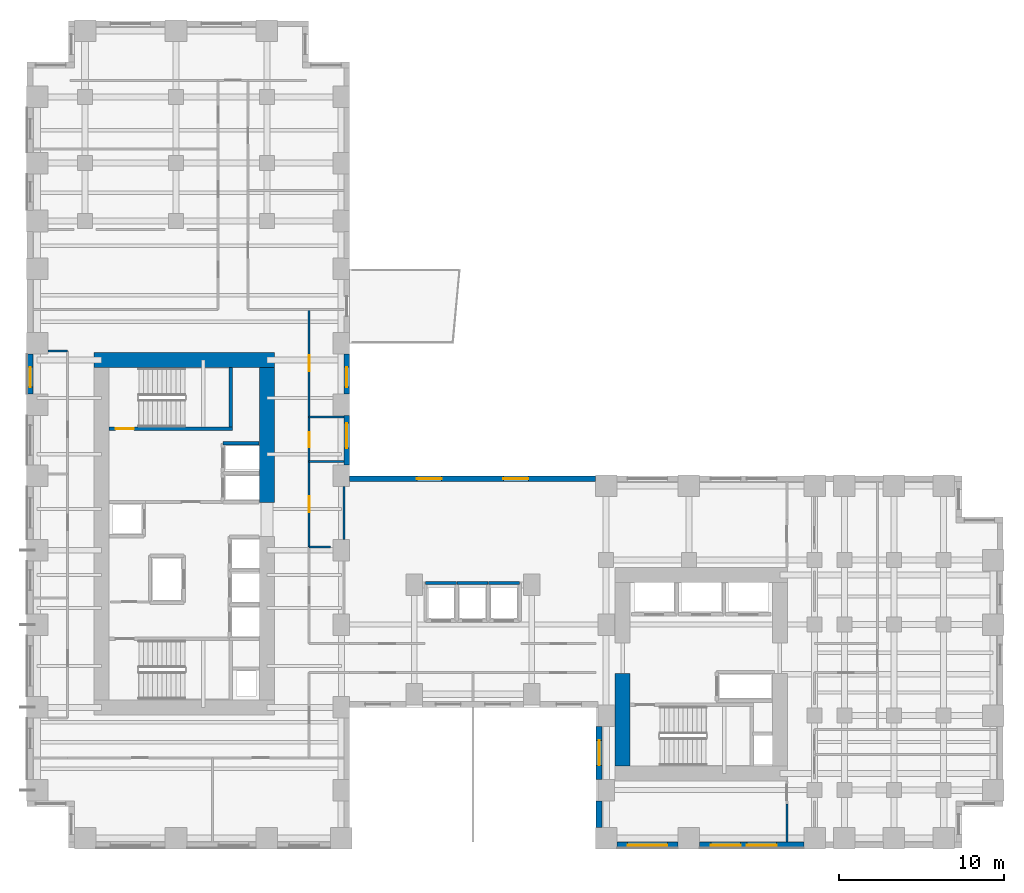
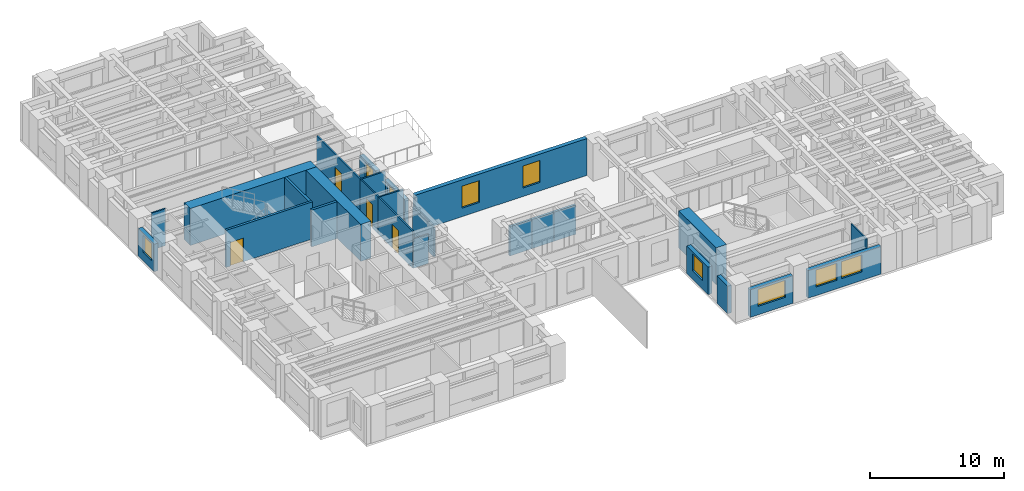
# One storey, part 6 of 12: 26 walls, 9 windows, 4 doors, 13 openings.
"""IFC4 building model written with IfcOpenShell, lengths in metres."""

from ifc_helpers import new_model, si_unit, direction, frame, frame_2d, origin, place, context, subcontext, project, spatial, rectangle, extrude, source, transform, mapped, material, layer, layer_set, type_object, element, fill, save


model = new_model("IFC4")

# Units and contexts
model_context = context("Model", 3, precision=1e-05, world=origin(), true_north=direction((0.0, 1.0)))
body_context = subcontext(model_context, "Body", "Model", "MODEL_VIEW")
ifc_project = project(units=[si_unit("LENGTHUNIT", "METRE"), si_unit("AREAUNIT", "SQUARE_METRE"), si_unit("VOLUMEUNIT", "CUBIC_METRE"), si_unit("PLANEANGLEUNIT", "RADIAN"), si_unit("MASSUNIT", "GRAM", prefix="KILO")], contexts=[model_context])

# Site, building, storey
site_placement = place(None, origin())
site = spatial("IfcSite", under=ifc_project, at=site_placement, CompositionType="ELEMENT")
building_placement = place(site_placement, origin())
building = spatial("IfcBuilding", under=site, at=building_placement, Name="Kharzan Plaza Tower", CompositionType="ELEMENT")
storey_placement = place(building_placement, frame((0.0, 0.0, 26.10009765625)))
storey = spatial("IfcBuildingStorey", under=building, at=storey_placement, Name="L06", CompositionType="ELEMENT", Elevation=26.10009765625)

# Wall, opening, window
ifc_material_1 = material(Name="Concrete C40/50", Category="concrete")
ifc_layer_1 = layer(ifc_material_1, 0.35009765625)
ifc_layer_set_1 = layer_set([ifc_layer_1], Name="Concrete C40/50")
wall_type_1 = type_object("IfcWallType", Name="WL-EXT-MAS-Z1", PredefinedType="SOLIDWALL", material=ifc_layer_set_1)
wall_1_placement = place(storey_placement, frame((0.175048828125, 29.85205078125, 0.0), z_axis=(0.0, 0.0, 1.0), x_axis=(0.0, -1.0, 0.0)))
wall_1 = element("IfcWall", 1, at=wall_1_placement, inside=storey, type_object=wall_type_1, Name="L06 Masonry-Frame Exterior Wall 14", PredefinedType="SOLIDWALL", context=body_context, shape_type="SweptSolid", body=[
    extrude(rectangle(XDim=2.404052734375, YDim=0.35009765625, at=frame_2d((1.2021484375, 0.0))), origin(), (0.0, 0.0, 1.0), 2.510009765625),
])
opening_1_placement = place(wall_1_placement, frame((0.786865234375, 0.0, 0.780029296875)))
opening_1 = element("IfcOpeningElement", 2, at=opening_1_placement, cuts=wall_1, Name="Opening W3", PredefinedType="OPENING", context=body_context, shape_type="SweptSolid", body=[
    extrude(rectangle(XDim=1.199951171875, YDim=1.550048828125, at=frame_2d((0.60009765625, 0.77490234375))), frame((0.0, 0.18505859375, 0.0), z_axis=(0.0, -1.0, 0.0), x_axis=(1.0, 0.0, 0.0)), (0.0, 0.0, 1.0), 0.3701171875),
])
ifc_material_2 = material(Name="Low-E Double Glazing", Category="glass")
window_type_1 = type_object("IfcWindowType", Name="WN-REC-1200x2100", PartitioningType="SINGLE_PANEL", PredefinedType="WINDOW", material=ifc_material_2)
shared_shape_1 = source(origin(), body_context, "Body", "SweptSolid", [
    extrude(rectangle(XDim=1.199951171875, YDim=1.550048828125, at=frame_2d((0.60009765625, 0.77490234375))), frame((0.0, 0.030029296875, 0.0), z_axis=(0.0, -1.0, 0.0), x_axis=(1.0, 0.0, 0.0)), (0.0, 0.0, 1.0), 0.06005859375),
])
window_1_placement = place(opening_1_placement, origin())
window_1 = element("IfcWindow", 3, at=window_1_placement, inside=storey, type_object=window_type_1, Name="L06 Recessed Solar-Control Window 14-1", OverallHeight=1.550048828125, OverallWidth=1.199951171875, PartitioningType="SINGLE_PANEL", PredefinedType="WINDOW", context=body_context, shape_type="MappedRepresentation", body=[
    mapped(shared_shape_1, transform((0.0, 0.0, 0.0), x_axis=(1.0, 0.0, 0.0), y_axis=(0.0, 1.0, 0.0), z_axis=(0.0, 0.0, 1.0))),
])
fill(opening_1, window_1)

wall_2_placement = place(storey_placement, frame((34.574951171875, 7.35205078125, 0.0), z_axis=(0.0, 0.0, 1.0), x_axis=(0.0, -1.0, 0.0)))
wall_2 = element("IfcWall", 4, at=wall_2_placement, inside=storey, type_object=wall_type_1, Name="L06 Masonry-Frame Exterior Wall 31", PredefinedType="SOLIDWALL", context=body_context, shape_type="SweptSolid", body=[
    extrude(rectangle(XDim=3.2041015625, YDim=0.35009765625, at=frame_2d((1.60205078125, 0.0))), origin(), (0.0, 0.0, 1.0), 2.510009765625),
])
opening_2_placement = place(wall_2_placement, frame((0.85205078125, 0.0, 0.780029296875)))
opening_2 = element("IfcOpeningElement", 5, at=opening_2_placement, cuts=wall_2, Name="Opening W5", PredefinedType="OPENING", context=body_context, shape_type="SweptSolid", body=[
    extrude(rectangle(XDim=1.5, YDim=1.550048828125, at=frame_2d((0.75, 0.77490234375))), frame((0.0, 0.18505859375, 0.0), z_axis=(0.0, -1.0, 0.0), x_axis=(1.0, 0.0, 0.0)), (0.0, 0.0, 1.0), 0.3701171875),
])
window_type_2 = type_object("IfcWindowType", Name="WN-SLT-1500x2000", PartitioningType="SINGLE_PANEL", PredefinedType="WINDOW", material=ifc_material_2)
shared_shape_2 = source(origin(), body_context, "Body", "SweptSolid", [
    extrude(rectangle(XDim=1.5, YDim=1.550048828125, at=frame_2d((0.75, 0.77490234375))), frame((0.0, 0.030029296875, 0.0), z_axis=(0.0, -1.0, 0.0), x_axis=(1.0, 0.0, 0.0)), (0.0, 0.0, 1.0), 0.06005859375),
])
window_2_placement = place(opening_2_placement, origin())
window_2 = element("IfcWindow", 6, at=window_2_placement, inside=storey, type_object=window_type_2, Name="L06 Recessed Solar-Control Window 31-1", OverallHeight=1.550048828125, OverallWidth=1.5, PartitioningType="SINGLE_PANEL", PredefinedType="WINDOW", context=body_context, shape_type="MappedRepresentation", body=[
    mapped(shared_shape_2, transform((0.0, 0.0, 0.0), x_axis=(1.0, 0.0, 0.0), y_axis=(0.0, 1.0, 0.0), z_axis=(0.0, 0.0, 1.0))),
])
fill(opening_2, window_2)

wall_3_placement = place(storey_placement, frame((35.64794921875, 0.175048828125, 0.0), z_axis=(0.0, 0.0, 1.0), x_axis=(1.0, 0.0, 0.0)))
wall_3 = element("IfcWall", 7, at=wall_3_placement, inside=storey, type_object=wall_type_1, Name="L06 Masonry-Frame Exterior Wall 33", PredefinedType="SOLIDWALL", context=body_context, shape_type="SweptSolid", body=[
    extrude(rectangle(XDim=3.7041015625, YDim=0.35009765625, at=frame_2d((1.85205078125, 0.0))), origin(), (0.0, 0.0, 1.0), 2.510009765625),
])
opening_3_placement = place(wall_3_placement, frame((0.652099609375, 0.0, 0.780029296875)))
opening_3 = element("IfcOpeningElement", 8, at=opening_3_placement, cuts=wall_3, Name="Opening W2", PredefinedType="OPENING", context=body_context, shape_type="SweptSolid", body=[
    extrude(rectangle(XDim=2.39990234375, YDim=1.550048828125, at=frame_2d((1.199951171875, 0.77490234375))), frame((0.0, 0.18505859375, 0.0), z_axis=(0.0, -1.0, 0.0), x_axis=(1.0, 0.0, 0.0)), (0.0, 0.0, 1.0), 0.3701171875),
])
window_type_3 = type_object("IfcWindowType", Name="WN-REC-2400x2100", PartitioningType="SINGLE_PANEL", PredefinedType="WINDOW", material=ifc_material_2)
shared_shape_3 = source(origin(), body_context, "Body", "SweptSolid", [
    extrude(rectangle(XDim=2.39990234375, YDim=1.550048828125, at=frame_2d((1.199951171875, 0.77490234375))), frame((0.0, 0.030029296875, 0.0), z_axis=(0.0, -1.0, 0.0), x_axis=(1.0, 0.0, 0.0)), (0.0, 0.0, 1.0), 0.06005859375),
])
window_3_placement = place(opening_3_placement, origin())
window_3 = element("IfcWindow", 9, at=window_3_placement, inside=storey, type_object=window_type_3, Name="L06 Wide Recessed Solar-Control Window 33-1", OverallHeight=1.550048828125, OverallWidth=2.39990234375, PartitioningType="SINGLE_PANEL", PredefinedType="WINDOW", context=body_context, shape_type="MappedRepresentation", body=[
    mapped(shared_shape_3, transform((0.0, 0.0, 0.0), x_axis=(1.0, 0.0, 0.0), y_axis=(0.0, 1.0, 0.0), z_axis=(0.0, 0.0, 1.0))),
])
fill(opening_3, window_3)

# Wall, openings, windows
wall_4_placement = place(storey_placement, frame((40.64794921875, 0.175048828125, 0.0), z_axis=(0.0, 0.0, 1.0), x_axis=(1.0, 0.0, 0.0)))
wall_4 = element("IfcWall", 10, at=wall_4_placement, inside=storey, type_object=wall_type_1, Name="L06 Masonry-Frame Exterior Wall 34", PredefinedType="SOLIDWALL", context=body_context, shape_type="SweptSolid", body=[
    extrude(rectangle(XDim=6.303955078125, YDim=0.35009765625, at=frame_2d((3.15185546875, 0.0))), origin(), (0.0, 0.0, 1.0), 2.510009765625),
])
opening_4_placement = place(wall_4_placement, frame((0.687255859375, 0.0, 0.780029296875)))
opening_4 = element("IfcOpeningElement", 11, at=opening_4_placement, cuts=wall_4, Name="Opening W1", PredefinedType="OPENING", context=body_context, shape_type="SweptSolid", body=[
    extrude(rectangle(XDim=1.800048828125, YDim=1.550048828125, at=frame_2d((0.89990234375, 0.77490234375))), frame((0.0, 0.18505859375, 0.0), z_axis=(0.0, -1.0, 0.0), x_axis=(1.0, 0.0, 0.0)), (0.0, 0.0, 1.0), 0.3701171875),
])
opening_5_placement = place(wall_4_placement, frame((2.854736328125, 0.0, 0.780029296875)))
opening_5 = element("IfcOpeningElement", 12, at=opening_5_placement, cuts=wall_4, Name="Opening W1", PredefinedType="OPENING", context=body_context, shape_type="SweptSolid", body=[
    extrude(rectangle(XDim=1.800048828125, YDim=1.550048828125, at=frame_2d((0.89990234375, 0.77490234375))), frame((0.0, 0.18505859375, 0.0), z_axis=(0.0, -1.0, 0.0), x_axis=(1.0, 0.0, 0.0)), (0.0, 0.0, 1.0), 0.3701171875),
])
window_type_4 = type_object("IfcWindowType", Name="WN-REC-1800x2100", PartitioningType="SINGLE_PANEL", PredefinedType="WINDOW", material=ifc_material_2)
shared_shape_4 = source(origin(), body_context, "Body", "SweptSolid", [
    extrude(rectangle(XDim=1.800048828125, YDim=1.550048828125, at=frame_2d((0.89990234375, 0.77490234375))), frame((0.0, 0.030029296875, 0.0), z_axis=(0.0, -1.0, 0.0), x_axis=(1.0, 0.0, 0.0)), (0.0, 0.0, 1.0), 0.06005859375),
])
window_4_placement = place(opening_4_placement, origin())
window_4 = element("IfcWindow", 13, at=window_4_placement, inside=storey, type_object=window_type_4, Name="L06 Recessed Solar-Control Window 34-1", OverallHeight=1.550048828125, OverallWidth=1.800048828125, PartitioningType="SINGLE_PANEL", PredefinedType="WINDOW", context=body_context, shape_type="MappedRepresentation", body=[
    mapped(shared_shape_4, transform((0.0, 0.0, 0.0), x_axis=(1.0, 0.0, 0.0), y_axis=(0.0, 1.0, 0.0), z_axis=(0.0, 0.0, 1.0))),
])
fill(opening_4, window_4)
window_5_placement = place(opening_5_placement, origin())
window_5 = element("IfcWindow", 14, at=window_5_placement, inside=storey, type_object=window_type_4, Name="L06 Recessed Solar-Control Window 34-2", OverallHeight=1.550048828125, OverallWidth=1.800048828125, PartitioningType="SINGLE_PANEL", PredefinedType="WINDOW", context=body_context, shape_type="MappedRepresentation", body=[
    mapped(shared_shape_4, transform((0.0, 0.0, 0.0), x_axis=(1.0, 0.0, 0.0), y_axis=(0.0, 1.0, 0.0), z_axis=(0.0, 0.0, 1.0))),
])
fill(opening_5, window_5)

wall_5_placement = place(storey_placement, frame((34.35205078125, 22.324951171875, 0.0), z_axis=(0.0, 0.0, 1.0), x_axis=(-1.0, 0.0, 0.0)))
wall_5 = element("IfcWall", 15, at=wall_5_placement, inside=storey, type_object=wall_type_1, Name="L06 Masonry-Frame Exterior Wall 53", PredefinedType="SOLIDWALL", context=body_context, shape_type="SweptSolid", body=[
    extrude(rectangle(XDim=14.85400390625, YDim=0.35009765625, at=frame_2d((7.427001953125, 0.0))), origin(), (0.0, 0.0, 1.0), 3.364990234375),
])
opening_6_placement = place(wall_5_placement, frame((4.05810546875, 0.0, 0.780029296875)))
opening_6 = element("IfcOpeningElement", 16, at=opening_6_placement, cuts=wall_5, Name="Opening W5", PredefinedType="OPENING", context=body_context, shape_type="SweptSolid", body=[
    extrude(rectangle(XDim=1.5, YDim=2.0, at=frame_2d((0.75, 1.0))), frame((0.0, 0.18505859375, 0.0), z_axis=(0.0, -1.0, 0.0), x_axis=(1.0, 0.0, 0.0)), (0.0, 0.0, 1.0), 0.3701171875),
])
opening_7_placement = place(wall_5_placement, frame((9.2958984375, 0.0, 0.780029296875)))
opening_7 = element("IfcOpeningElement", 17, at=opening_7_placement, cuts=wall_5, Name="Opening W5", PredefinedType="OPENING", context=body_context, shape_type="SweptSolid", body=[
    extrude(rectangle(XDim=1.5, YDim=2.0, at=frame_2d((0.75, 1.0))), frame((0.0, 0.18505859375, 0.0), z_axis=(0.0, -1.0, 0.0), x_axis=(1.0, 0.0, 0.0)), (0.0, 0.0, 1.0), 0.3701171875),
])
shared_shape_5 = source(origin(), body_context, "Body", "SweptSolid", [
    extrude(rectangle(XDim=1.5, YDim=2.0, at=frame_2d((0.75, 1.0))), frame((0.0, 0.030029296875, 0.0), z_axis=(0.0, -1.0, 0.0), x_axis=(1.0, 0.0, 0.0)), (0.0, 0.0, 1.0), 0.06005859375),
])
window_6_placement = place(opening_6_placement, origin())
window_6 = element("IfcWindow", 18, at=window_6_placement, inside=storey, type_object=window_type_2, Name="L06 Recessed Solar-Control Window 53-1", OverallHeight=2.0, OverallWidth=1.5, PartitioningType="SINGLE_PANEL", PredefinedType="WINDOW", context=body_context, shape_type="MappedRepresentation", body=[
    mapped(shared_shape_5, transform((0.0, 0.0, 0.0), x_axis=(1.0, 0.0, 0.0), y_axis=(0.0, 1.0, 0.0), z_axis=(0.0, 0.0, 1.0))),
])
fill(opening_6, window_6)
window_7_placement = place(opening_7_placement, origin())
window_7 = element("IfcWindow", 19, at=window_7_placement, inside=storey, type_object=window_type_2, Name="L06 Recessed Solar-Control Window 53-2", OverallHeight=2.0, OverallWidth=1.5, PartitioningType="SINGLE_PANEL", PredefinedType="WINDOW", context=body_context, shape_type="MappedRepresentation", body=[
    mapped(shared_shape_5, transform((0.0, 0.0, 0.0), x_axis=(1.0, 0.0, 0.0), y_axis=(0.0, 1.0, 0.0), z_axis=(0.0, 0.0, 1.0))),
])
fill(opening_7, window_7)

# Wall, opening, window
wall_6_placement = place(storey_placement, frame((19.324951171875, 23.14794921875, 0.0), z_axis=(0.0, 0.0, 1.0), x_axis=(0.0, 1.0, 0.0)))
wall_6 = element("IfcWall", 20, at=wall_6_placement, inside=storey, type_object=wall_type_1, Name="L06 Masonry-Frame Exterior Wall 54", PredefinedType="SOLIDWALL", context=body_context, shape_type="SweptSolid", body=[
    extrude(rectangle(XDim=3.004150390625, YDim=0.35009765625, at=frame_2d((1.501953125, 0.0))), origin(), (0.0, 0.0, 1.0), 2.510009765625),
])
opening_8_placement = place(wall_6_placement, frame((1.030517578125, 0.0, 0.780029296875)))
opening_8 = element("IfcOpeningElement", 21, at=opening_8_placement, cuts=wall_6, Name="Opening W5", PredefinedType="OPENING", context=body_context, shape_type="SweptSolid", body=[
    extrude(rectangle(XDim=1.5, YDim=1.550048828125, at=frame_2d((0.75, 0.77490234375))), frame((0.0, 0.18505859375, 0.0), z_axis=(0.0, -1.0, 0.0), x_axis=(1.0, 0.0, 0.0)), (0.0, 0.0, 1.0), 0.3701171875),
])
window_8_placement = place(opening_8_placement, origin())
window_8 = element("IfcWindow", 22, at=window_8_placement, inside=storey, type_object=window_type_2, Name="L06 Recessed Solar-Control Window 54-1", OverallHeight=1.550048828125, OverallWidth=1.5, PartitioningType="SINGLE_PANEL", PredefinedType="WINDOW", context=body_context, shape_type="MappedRepresentation", body=[
    mapped(shared_shape_2, transform((0.0, 0.0, 0.0), x_axis=(1.0, 0.0, 0.0), y_axis=(0.0, 1.0, 0.0), z_axis=(0.0, 0.0, 1.0))),
])
fill(opening_8, window_8)

wall_7_placement = place(storey_placement, frame((19.324951171875, 27.447998046875, 0.0), z_axis=(0.0, 0.0, 1.0), x_axis=(0.0, 1.0, 0.0)))
wall_7 = element("IfcWall", 23, at=wall_7_placement, inside=storey, type_object=wall_type_1, Name="L06 Masonry-Frame Exterior Wall 55", PredefinedType="SOLIDWALL", context=body_context, shape_type="SweptSolid", body=[
    extrude(rectangle(XDim=2.404052734375, YDim=0.35009765625, at=frame_2d((1.2021484375, 0.0))), origin(), (0.0, 0.0, 1.0), 2.510009765625),
])
opening_9_placement = place(wall_7_placement, frame((0.417236328125, 0.0, 0.780029296875)))
opening_9 = element("IfcOpeningElement", 24, at=opening_9_placement, cuts=wall_7, Name="Opening W3", PredefinedType="OPENING", context=body_context, shape_type="SweptSolid", body=[
    extrude(rectangle(XDim=1.199951171875, YDim=1.550048828125, at=frame_2d((0.60009765625, 0.77490234375))), frame((0.0, 0.18505859375, 0.0), z_axis=(0.0, -1.0, 0.0), x_axis=(1.0, 0.0, 0.0)), (0.0, 0.0, 1.0), 0.3701171875),
])
window_9_placement = place(opening_9_placement, origin())
window_9 = element("IfcWindow", 25, at=window_9_placement, inside=storey, type_object=window_type_1, Name="L06 Recessed Solar-Control Window 55-1", OverallHeight=1.550048828125, OverallWidth=1.199951171875, PartitioningType="SINGLE_PANEL", PredefinedType="WINDOW", context=body_context, shape_type="MappedRepresentation", body=[
    mapped(shared_shape_1, transform((0.0, 0.0, 0.0), x_axis=(1.0, 0.0, 0.0), y_axis=(0.0, 1.0, 0.0), z_axis=(0.0, 0.0, 1.0))),
])
fill(opening_9, window_9)

# Wall, opening, door
ifc_material_3 = material(Name="Fire-Rated Gypsum Board Partition", Category="gypsum")
ifc_layer_2 = layer(ifc_material_3, 0.125)
ifc_layer_set_2 = layer_set([ifc_layer_2], Name="Fire-Rated Gypsum Board Partition")
wall_type_2 = type_object("IfcWallType", Name="WL-INT-PART-125", PredefinedType="PARTITIONING", material=ifc_layer_set_2)
wall_8_placement = place(storey_placement, frame((17.050048828125, 18.199951171875, 0.0), z_axis=(0.0, 0.0, 1.0), x_axis=(0.0, 1.0, 0.0)))
wall_8 = element("IfcWall", 26, at=wall_8_placement, inside=storey, type_object=wall_type_2, Name="L06 Interior Partition SH-AEWN2", PredefinedType="PARTITIONING", context=body_context, shape_type="SweptSolid", body=[
    extrude(rectangle(XDim=5.150146484375, YDim=0.125, at=frame_2d((2.5751953125, 0.0))), origin(), (0.0, 0.0, 1.0), 3.364990234375),
])
opening_10_placement = place(wall_8_placement, frame((2.10009765625, 0.0, 0.0)))
opening_10 = element("IfcOpeningElement", 27, at=opening_10_placement, cuts=wall_8, Name="Opening OD1", PredefinedType="OPENING", context=body_context, shape_type="SweptSolid", body=[
    extrude(rectangle(XDim=0.949951171875, YDim=2.14990234375, at=frame_2d((0.47509765625, 1.074951171875))), frame((0.0, 0.072509765625, 0.0), z_axis=(0.0, -1.0, 0.0), x_axis=(1.0, 0.0, 0.0)), (0.0, 0.0, 1.0), 0.14501953125),
])
ifc_material_4 = material(Name="Acoustic Solid-Core Stained Oak", Category="timber")
door_type_1 = type_object("IfcDoorType", Name="DR-OFF-SINGLE", OperationType="NOTDEFINED", PredefinedType="DOOR", material=ifc_material_4)
shared_shape_6 = source(origin(), body_context, "Body", "SweptSolid", [
    extrude(rectangle(XDim=0.949951171875, YDim=2.14990234375, at=frame_2d((0.47509765625, 1.074951171875))), frame((0.0, 0.02490234375, 0.0), z_axis=(0.0, -1.0, 0.0), x_axis=(1.0, 0.0, 0.0)), (0.0, 0.0, 1.0), 0.050048828125),
])
door_1_placement = place(opening_10_placement, origin())
door_1 = element("IfcDoor", 28, at=door_1_placement, inside=storey, type_object=door_type_1, Name="L06 Slot Studio Door", OperationType="SINGLE_SWING_LEFT", OverallHeight=2.14990234375, OverallWidth=0.949951171875, PredefinedType="DOOR", context=body_context, shape_type="MappedRepresentation", body=[
    mapped(shared_shape_6, transform((0.0, 0.0, 0.0), x_axis=(1.0, 0.0, 0.0), y_axis=(0.0, 1.0, 0.0), z_axis=(0.0, 0.0, 1.0))),
])
fill(opening_10, door_1)

wall_9_placement = place(storey_placement, frame((17.050048828125, 26.050048828125, 0.0), z_axis=(0.0, 0.0, 1.0), x_axis=(0.0, 1.0, 0.0)))
wall_9 = element("IfcWall", 29, at=wall_9_placement, inside=storey, type_object=wall_type_2, Name="L06 Interior Partition SH-AEWN3", PredefinedType="PARTITIONING", context=body_context, shape_type="SweptSolid", body=[
    extrude(rectangle(XDim=6.5, YDim=0.125, at=frame_2d((3.25, 0.0))), origin(), (0.0, 0.0, 1.0), 3.364990234375),
])
opening_11_placement = place(wall_9_placement, frame((2.77490234375, 0.0, 0.0)))
opening_11 = element("IfcOpeningElement", 30, at=opening_11_placement, cuts=wall_9, Name="Opening OD1", PredefinedType="OPENING", context=body_context, shape_type="SweptSolid", body=[
    extrude(rectangle(XDim=0.949951171875, YDim=2.14990234375, at=frame_2d((0.47509765625, 1.074951171875))), frame((0.0, 0.072509765625, 0.0), z_axis=(0.0, -1.0, 0.0), x_axis=(1.0, 0.0, 0.0)), (0.0, 0.0, 1.0), 0.14501953125),
])
door_2_placement = place(opening_11_placement, origin())
door_2 = element("IfcDoor", 31, at=door_2_placement, inside=storey, type_object=door_type_1, Name="L06 Staff Tea Point Door", OperationType="SINGLE_SWING_LEFT", OverallHeight=2.14990234375, OverallWidth=0.949951171875, PredefinedType="DOOR", context=body_context, shape_type="MappedRepresentation", body=[
    mapped(shared_shape_6, transform((0.0, 0.0, 0.0), x_axis=(1.0, 0.0, 0.0), y_axis=(0.0, 1.0, 0.0), z_axis=(0.0, 0.0, 1.0))),
])
fill(opening_11, door_2)

wall_10_placement = place(storey_placement, frame((17.050048828125, 23.35009765625, 0.0), z_axis=(0.0, 0.0, 1.0), x_axis=(0.0, 1.0, 0.0)))
wall_10 = element("IfcWall", 32, at=wall_10_placement, inside=storey, type_object=wall_type_2, Name="L06 Interior Partition SH-AEWW", PredefinedType="PARTITIONING", context=body_context, shape_type="SweptSolid", body=[
    extrude(rectangle(XDim=2.699951171875, YDim=0.125, at=frame_2d((1.35009765625, 0.0))), origin(), (0.0, 0.0, 1.0), 3.364990234375),
])
opening_12_placement = place(wall_10_placement, frame((0.875, 0.0, 0.0)))
opening_12 = element("IfcOpeningElement", 33, at=opening_12_placement, cuts=wall_10, Name="Opening WD1", PredefinedType="OPENING", context=body_context, shape_type="SweptSolid", body=[
    extrude(rectangle(XDim=0.89990234375, YDim=2.14990234375, at=frame_2d((0.449951171875, 1.074951171875))), frame((0.0, 0.072509765625, 0.0), z_axis=(0.0, -1.0, 0.0), x_axis=(1.0, 0.0, 0.0)), (0.0, 0.0, 1.0), 0.14501953125),
])
ifc_material_5 = material(Name="Moisture-Resistant Fire-Rated Laminate", Category="timber")
door_type_2 = type_object("IfcDoorType", Name="DR-WC-900", OperationType="NOTDEFINED", PredefinedType="DOOR", material=ifc_material_5)
shared_shape_7 = source(origin(), body_context, "Body", "SweptSolid", [
    extrude(rectangle(XDim=0.89990234375, YDim=2.14990234375, at=frame_2d((0.449951171875, 1.074951171875))), frame((0.0, 0.02490234375, 0.0), z_axis=(0.0, -1.0, 0.0), x_axis=(1.0, 0.0, 0.0)), (0.0, 0.0, 1.0), 0.050048828125),
])
door_3_placement = place(opening_12_placement, origin())
door_3 = element("IfcDoor", 34, at=door_3_placement, inside=storey, type_object=door_type_2, Name="L06 Wing A Washroom Door", OperationType="SINGLE_SWING_RIGHT", OverallHeight=2.14990234375, OverallWidth=0.89990234375, PredefinedType="DOOR", context=body_context, shape_type="MappedRepresentation", body=[
    mapped(shared_shape_7, transform((0.0, 0.0, 0.0), x_axis=(1.0, 0.0, 0.0), y_axis=(0.0, 1.0, 0.0), z_axis=(0.0, 0.0, 1.0))),
])
fill(opening_12, door_3)

ifc_material_6 = material(Name="Concrete C50/60", Category="concrete")
ifc_layer_3 = layer(ifc_material_6, 0.199951171875)
ifc_layer_set_3 = layer_set([ifc_layer_3], Name="Concrete C50/60")
wall_type_3 = type_object("IfcWallType", Name="WL-SHAFT-RC200", PredefinedType="SHEAR", material=ifc_layer_set_3)
wall_11_placement = place(storey_placement, frame((4.951904296875, 25.344970703125, 0.0), z_axis=(0.0, 0.0, 1.0), x_axis=(1.0, 0.0, 0.0)))
wall_11 = element("IfcWall", 35, at=wall_11_placement, inside=storey, type_object=wall_type_3, Name="L06 Stair ST-2 South RC Shaft Wall", PredefinedType="SHEAR", context=body_context, shape_type="SweptSolid", body=[
    extrude(rectangle(XDim=7.453125, YDim=0.199951171875, at=frame_2d((3.7265625, 0.0))), origin(), (0.0, 0.0, 1.0), 3.3798828125),
])
opening_13_placement = place(wall_11_placement, frame((0.39990234375, 0.0, 0.0)))
opening_13 = element("IfcOpeningElement", 36, at=opening_13_placement, cuts=wall_11, Name="Opening SD1", PredefinedType="OPENING", context=body_context, shape_type="SweptSolid", body=[
    extrude(rectangle(XDim=1.10009765625, YDim=2.14990234375, at=frame_2d((0.550048828125, 1.074951171875))), frame((0.0, 0.10986328125, 0.0), z_axis=(0.0, -1.0, 0.0), x_axis=(1.0, 0.0, 0.0)), (0.0, 0.0, 1.0), 0.219970703125),
])
ifc_material_7 = material(Name="Fire-Rated Hollow Galvanized Steel", Category="steel")
door_type_3 = type_object("IfcDoorType", Name="DR-STAIR-FD120", OperationType="NOTDEFINED", PredefinedType="DOOR", material=ifc_material_7)
shared_shape_8 = source(origin(), body_context, "Body", "SweptSolid", [
    extrude(rectangle(XDim=1.10009765625, YDim=2.14990234375, at=frame_2d((0.550048828125, 1.074951171875))), frame((0.0, 0.02490234375, 0.0), z_axis=(0.0, -1.0, 0.0), x_axis=(1.0, 0.0, 0.0)), (0.0, 0.0, 1.0), 0.050048828125),
])
door_4_placement = place(opening_13_placement, origin())
door_4 = element("IfcDoor", 37, at=door_4_placement, inside=storey, type_object=door_type_3, Name="L06 Stair ST-2 Fire Exit Door", OperationType="SINGLE_SWING_RIGHT", OverallHeight=2.14990234375, OverallWidth=1.10009765625, PredefinedType="DOOR", context=body_context, shape_type="MappedRepresentation", body=[
    mapped(shared_shape_8, transform((0.0, 0.0, 0.0), x_axis=(1.0, 0.0, 0.0), y_axis=(0.0, 1.0, 0.0), z_axis=(0.0, 0.0, 1.0))),
])
fill(opening_13, door_4)

# Walls
ifc_material_8 = material(Name="Concrete C60/75", Category="concrete")
ifc_layer_4 = layer(ifc_material_8, 0.89990234375)
ifc_layer_set_4 = layer_set([ifc_layer_4], Name="Concrete C60/75")
wall_type_4 = type_object("IfcWallType", Name="WL-CORE-900", PredefinedType="SHEAR", material=ifc_layer_set_4)
shared_shape_9 = source(origin(), body_context, "Body", "SweptSolid", [
    extrude(rectangle(XDim=8.170166015625, YDim=0.89990234375, at=frame_2d((4.0849609375, 0.0))), origin(), (0.0, 0.0, 1.0), 3.3798828125),
])
wall_12_placement = place(storey_placement, frame((14.5, 20.8798828125, 0.0), z_axis=(0.0, 0.0, 1.0), x_axis=(0.0, 1.0, 0.0)))
element("IfcWall", 38, at=wall_12_placement, inside=storey, type_object=wall_type_4, Name="L06 CORE-A east shear pier 2", PredefinedType="SHEAR", context=body_context, shape_type="MappedRepresentation", body=[
    mapped(shared_shape_9, transform((0.0, 0.0, 0.0), x_axis=(1.0, 0.0, 0.0), y_axis=(0.0, 1.0, 0.0), z_axis=(0.0, 0.0, 1.0))),
])
shared_shape_10 = source(origin(), body_context, "Body", "SweptSolid", [
    extrude(rectangle(XDim=10.89990234375, YDim=0.89990234375, at=frame_2d((5.449951171875, 0.0))), origin(), (0.0, 0.0, 1.0), 3.3798828125),
])
wall_13_placement = place(storey_placement, frame((4.050048828125, 29.5, 0.0), z_axis=(0.0, 0.0, 1.0), x_axis=(1.0, 0.0, 0.0)))
element("IfcWall", 39, at=wall_13_placement, inside=storey, type_object=wall_type_4, Name="L06 CORE-A north RC shear wall", PredefinedType="SHEAR", context=body_context, shape_type="MappedRepresentation", body=[
    mapped(shared_shape_10, transform((0.0, 0.0, 0.0), x_axis=(1.0, 0.0, 0.0), y_axis=(0.0, 1.0, 0.0), z_axis=(0.0, 0.0, 1.0))),
])
shared_shape_11 = source(origin(), body_context, "Body", "SweptSolid", [
    extrude(rectangle(XDim=5.60009765625, YDim=0.89990234375, at=frame_2d((2.800048828125, 0.0))), origin(), (0.0, 0.0, 1.0), 3.3798828125),
])
wall_14_placement = place(storey_placement, frame((36.0, 4.949951171875, 0.0), z_axis=(0.0, 0.0, 1.0), x_axis=(0.0, 1.0, 0.0)))
element("IfcWall", 40, at=wall_14_placement, inside=storey, type_object=wall_type_4, Name="L06 CORE-B west shear pier 1", PredefinedType="SHEAR", context=body_context, shape_type="MappedRepresentation", body=[
    mapped(shared_shape_11, transform((0.0, 0.0, 0.0), x_axis=(1.0, 0.0, 0.0), y_axis=(0.0, 1.0, 0.0), z_axis=(0.0, 0.0, 1.0))),
])
shared_shape_12 = source(origin(), body_context, "Body", "SweptSolid", [
    extrude(rectangle(XDim=1.60400390625, YDim=0.35009765625, at=frame_2d((0.802001953125, 0.0))), origin(), (0.0, 0.0, 1.0), 2.510009765625),
])
wall_15_placement = place(storey_placement, frame((34.574951171875, 2.85205078125, 0.0), z_axis=(0.0, 0.0, 1.0), x_axis=(0.0, -1.0, 0.0)))
element("IfcWall", 41, at=wall_15_placement, inside=storey, type_object=wall_type_1, Name="L06 Masonry-Frame Exterior Wall 32", PredefinedType="SOLIDWALL", context=body_context, shape_type="MappedRepresentation", body=[
    mapped(shared_shape_12, transform((0.0, 0.0, 0.0), x_axis=(1.0, 0.0, 0.0), y_axis=(0.0, 1.0, 0.0), z_axis=(0.0, 0.0, 1.0))),
])
shared_shape_13 = source(origin(), body_context, "Body", "SweptSolid", [
    extrude(rectangle(XDim=3.18017578125, YDim=0.125, at=frame_2d((1.590087890625, 0.0))), origin(), (0.0, 0.0, 1.0), 2.669921875),
])
wall_16_placement = place(storey_placement, frame((19.14990234375, 18.659912109375, 0.0), z_axis=(0.0, 0.0, 1.0), x_axis=(0.0, 1.0, 0.0)))
element("IfcWall", 42, at=wall_16_placement, inside=storey, type_object=wall_type_2, Name="L06 Interior Partition SH-AEN-DIV-S2", PredefinedType="PARTITIONING", context=body_context, shape_type="MappedRepresentation", body=[
    mapped(shared_shape_13, transform((0.0, 0.0, 0.0), x_axis=(1.0, 0.0, 0.0), y_axis=(0.0, 1.0, 0.0), z_axis=(0.0, 0.0, 1.0))),
])
shared_shape_14 = source(origin(), body_context, "Body", "SweptSolid", [
    extrude(rectangle(XDim=2.2978515625, YDim=0.125, at=frame_2d((1.14892578125, 0.0))), origin(), (0.0, 0.0, 1.0), 3.364990234375),
])
wall_17_placement = place(storey_placement, frame((45.919921875, 0.35205078125, 0.0), z_axis=(0.0, 0.0, 1.0), x_axis=(0.0, 1.0, 0.0)))
element("IfcWall", 43, at=wall_17_placement, inside=storey, type_object=wall_type_2, Name="L06 Interior Partition SH-RBSE0", PredefinedType="PARTITIONING", context=body_context, shape_type="MappedRepresentation", body=[
    mapped(shared_shape_14, transform((0.0, 0.0, 0.0), x_axis=(1.0, 0.0, 0.0), y_axis=(0.0, 1.0, 0.0), z_axis=(0.0, 0.0, 1.0))),
])
shared_shape_15 = source(origin(), body_context, "Body", "SweptSolid", [
    extrude(rectangle(XDim=1.18994140625, YDim=0.125, at=frame_2d((0.594970703125, 0.0))), origin(), (0.0, 0.0, 1.0), 3.364990234375),
])
wall_18_placement = place(storey_placement, frame((1.260009765625, 30.050048828125, 0.0), z_axis=(0.0, 0.0, 1.0), x_axis=(1.0, 0.0, 0.0)))
element("IfcWall", 44, at=wall_18_placement, inside=storey, type_object=wall_type_2, Name="L06 Interior Partition SH-RWN0", PredefinedType="PARTITIONING", context=body_context, shape_type="MappedRepresentation", body=[
    mapped(shared_shape_15, transform((0.0, 0.0, 0.0), x_axis=(1.0, 0.0, 0.0), y_axis=(0.0, 1.0, 0.0), z_axis=(0.0, 0.0, 1.0))),
])
ifc_layer_5 = layer(ifc_material_1, 0.199951171875)
ifc_layer_set_5 = layer_set([ifc_layer_5], Name="Concrete C40/50")
wall_type_5 = type_object("IfcWallType", Name="WL-INT-SHAFT-200", PredefinedType="PARTITIONING", material=ifc_layer_set_5)
shared_shape_16 = source(origin(), body_context, "Body", "SweptSolid", [
    extrude(rectangle(XDim=2.18994140625, YDim=0.199951171875, at=frame_2d((1.094970703125, 0.0))), origin(), (0.0, 0.0, 1.0), 3.364990234375),
])
wall_19_placement = place(storey_placement, frame((11.830078125, 24.4599609375, 0.0), z_axis=(0.0, 0.0, 1.0), x_axis=(1.0, 0.0, 0.0)))
element("IfcWall", 45, at=wall_19_placement, inside=storey, type_object=wall_type_5, Name="L06 Interior Partition SHF-FFL-2-N", PredefinedType="PARTITIONING", context=body_context, shape_type="MappedRepresentation", body=[
    mapped(shared_shape_16, transform((0.0, 0.0, 0.0), x_axis=(1.0, 0.0, 0.0), y_axis=(0.0, 1.0, 0.0), z_axis=(0.0, 0.0, 1.0))),
])
shared_shape_17 = source(origin(), body_context, "Body", "SweptSolid", [
    extrude(rectangle(XDim=1.889892578125, YDim=0.199951171875, at=frame_2d((0.94482421875, 0.0))), origin(), (0.0, 0.0, 1.0), 2.669921875),
])
wall_20_placement = place(storey_placement, frame((24.080078125, 16.02001953125, 0.0), z_axis=(0.0, 0.0, 1.0), x_axis=(1.0, 0.0, 0.0)))
element("IfcWall", 46, at=wall_20_placement, inside=storey, type_object=wall_type_5, Name="L06 Interior Partition SHF-PL-M1-N", PredefinedType="PARTITIONING", context=body_context, shape_type="MappedRepresentation", body=[
    mapped(shared_shape_17, transform((0.0, 0.0, 0.0), x_axis=(1.0, 0.0, 0.0), y_axis=(0.0, 1.0, 0.0), z_axis=(0.0, 0.0, 1.0))),
])
shared_shape_18 = source(origin(), body_context, "Body", "SweptSolid", [
    extrude(rectangle(XDim=1.89013671875, YDim=0.199951171875, at=frame_2d((0.945068359375, 0.0))), origin(), (0.0, 0.0, 1.0), 2.669921875),
])
for number, where, z_axis, x_axis, name in (
    (47, (25.97998046875, 16.02001953125, 0.0), (0.0, 0.0, 1.0), (1.0, 0.0, 0.0), "L06 Interior Partition SHF-PL-M2-N"),
    (48, (27.8798828125, 16.02001953125, 0.0), (0.0, 0.0, 1.0), (1.0, 0.0, 0.0), "L06 Interior Partition SHF-PL-M3-N"),
):
    element("IfcWall", number, at=place(storey_placement, frame(where, z_axis=z_axis, x_axis=x_axis)), inside=storey, type_object=wall_type_5, Name=name, PredefinedType="PARTITIONING", context=body_context, shape_type="MappedRepresentation", body=[
        mapped(shared_shape_18, transform((0.0, 0.0, 0.0), x_axis=(1.0, 0.0, 0.0), y_axis=(0.0, 1.0, 0.0), z_axis=(0.0, 0.0, 1.0))),
    ])
shared_shape_19 = source(origin(), body_context, "Body", "SweptSolid", [
    extrude(rectangle(XDim=3.60302734375, YDim=0.199951171875, at=frame_2d((1.801513671875, 0.0))), origin(), (0.0, 0.0, 1.0), 3.3798828125),
])
wall_21_placement = place(storey_placement, frame((12.304931640625, 25.445068359375, 0.0), z_axis=(0.0, 0.0, 1.0), x_axis=(0.0, 1.0, 0.0)))
element("IfcWall", 49, at=wall_21_placement, inside=storey, type_object=wall_type_3, Name="L06 Stair ST-2 East RC Shaft Wall", PredefinedType="SHEAR", context=body_context, shape_type="MappedRepresentation", body=[
    mapped(shared_shape_19, transform((0.0, 0.0, 0.0), x_axis=(1.0, 0.0, 0.0), y_axis=(0.0, 1.0, 0.0), z_axis=(0.0, 0.0, 1.0))),
])
shared_shape_20 = source(origin(), body_context, "Body", "SweptSolid", [
    extrude(rectangle(XDim=1.2900390625, YDim=0.125, at=frame_2d((0.64501953125, 0.0))), origin(), (0.0, 0.0, 1.0), 2.669921875),
])
wall_22_placement = place(storey_placement, frame((17.050048828125, 18.199951171875, 0.0), z_axis=(0.0, 0.0, 1.0), x_axis=(1.0, 0.0, 0.0)))
element("IfcWall", 50, at=wall_22_placement, inside=storey, type_object=wall_type_2, Name="L06 Interior Partition SH-AEH-182", PredefinedType="PARTITIONING", context=body_context, shape_type="MappedRepresentation", body=[
    mapped(shared_shape_20, transform((0.0, 0.0, 0.0), x_axis=(1.0, 0.0, 0.0), y_axis=(0.0, 1.0, 0.0), z_axis=(0.0, 0.0, 1.0))),
])
shared_shape_21 = source(origin(), body_context, "Body", "SweptSolid", [
    extrude(rectangle(XDim=2.097900390625, YDim=0.125, at=frame_2d((1.048828125, 0.0))), origin(), (0.0, 0.0, 1.0), 3.364990234375),
])
for number, where, z_axis, x_axis, name in (
    (51, (17.050048828125, 23.35009765625, 0.0), (0.0, 0.0, 1.0), (1.0, 0.0, 0.0), "L06 Interior Partition SH-AEH-233"),
    (52, (17.050048828125, 26.050048828125, 0.0), (0.0, 0.0, 1.0), (1.0, 0.0, 0.0), "L06 Interior Partition SH-AEH-260"),
):
    element("IfcWall", number, at=place(storey_placement, frame(where, z_axis=z_axis, x_axis=x_axis)), inside=storey, type_object=wall_type_2, Name=name, PredefinedType="PARTITIONING", context=body_context, shape_type="MappedRepresentation", body=[
        mapped(shared_shape_21, transform((0.0, 0.0, 0.0), x_axis=(1.0, 0.0, 0.0), y_axis=(0.0, 1.0, 0.0), z_axis=(0.0, 0.0, 1.0))),
    ])

save(model, "model.ifc")
